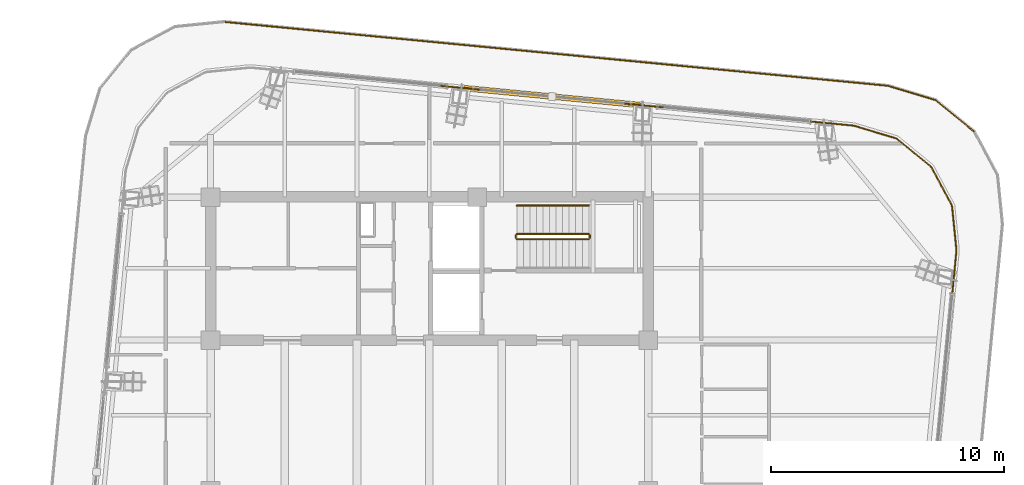
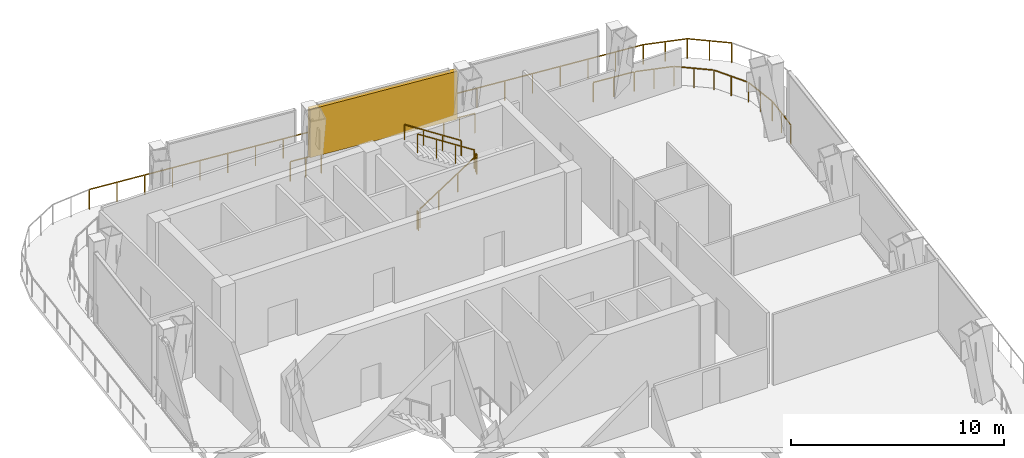
# One storey, part 18 of 19: 11 railings, 1 shading device.
"""IFC4 building model written with IfcOpenShell, lengths in metres."""

from ifc_helpers import new_model, si_unit, direction, frame, origin, origin_2d, place, context, subcontext, project, spatial, rectangle, extrude, material, type_object, element, save


model = new_model("IFC4")

# Units and contexts
model_context = context("Model", 3, precision=1e-05, world=origin(), true_north=direction((0.0, 1.0)))
body_context = subcontext(model_context, "Body", "Model", "MODEL_VIEW")
ifc_project = project(units=[si_unit("LENGTHUNIT", "METRE"), si_unit("AREAUNIT", "SQUARE_METRE"), si_unit("VOLUMEUNIT", "CUBIC_METRE"), si_unit("PLANEANGLEUNIT", "RADIAN"), si_unit("MASSUNIT", "GRAM", prefix="KILO")], contexts=[model_context])

# Site, building, storey
site_placement = place(None, origin())
site = spatial("IfcSite", under=ifc_project, at=site_placement, CompositionType="ELEMENT")
building_placement = place(site_placement, origin())
building = spatial("IfcBuilding", under=site, at=building_placement, Name="Qhalaya Broadcast Tower", CompositionType="ELEMENT")
storey_placement = place(building_placement, frame((0.0, 0.0, 280.550048828125)))
storey = spatial("IfcBuildingStorey", under=building, at=storey_placement, Name="L83", CompositionType="ELEMENT", Elevation=280.550048828125)

# Railings
ifc_material_1 = material(Name="Powder-Coated Galvanised Steel", Category="steel")
railing_type_1 = type_object("IfcRailingType", Name="Stair Wall Handrail 900", PredefinedType="HANDRAIL", material=ifc_material_1)
railing_1_placement = place(storey_placement, frame((6.830078125, 9.590087890625, 2.356201171875)))
element("IfcRailing", 1, at=railing_1_placement, inside=storey, type_object=railing_type_1, Name="L83 ST-1 Stair Handrail 2", PredefinedType="HANDRAIL", context=body_context, shape_type="SweptSolid", body=[
    extrude(rectangle(XDim=0.048095703125, YDim=0.048095703125, at=origin_2d()), frame((0.0, 0.0, 0.8759765625), z_axis=(-0.839488025565, 0.0, 0.543378187759), x_axis=(0.0, -1.0, 0.0)), (0.0, 0.0, 1.0), 3.6689453125),
    extrude(rectangle(XDim=0.0419921875, YDim=0.0419921875, at=origin_2d()), origin(), (0.0, 0.0, 1.0), 0.849853515625),
    extrude(rectangle(XDim=0.0419921875, YDim=0.0419921875, at=origin_2d()), frame((-1.026611328125, 0.0, 0.66455078125)), (0.0, 0.0, 1.0), 0.849853515625),
    extrude(rectangle(XDim=0.0419921875, YDim=0.0419921875, at=origin_2d()), frame((-2.053466796875, 0.0, 1.3291015625)), (0.0, 0.0, 1.0), 0.849853515625),
    extrude(rectangle(XDim=0.0419921875, YDim=0.0419921875, at=origin_2d()), frame((-3.080078125, 0.0, 1.99365234375)), (0.0, 0.0, 1.0), 0.849853515625),
])
railing_type_2 = type_object("IfcRailingType", Name="Stair Well & Landing Guardrail 1100", PredefinedType="GUARDRAIL", material=ifc_material_1)
railing_2_placement = place(storey_placement, frame((3.75, 8.14990234375, 0.18115234375)))
element("IfcRailing", 2, at=railing_2_placement, inside=storey, type_object=railing_type_2, Name="L83 ST-1 Stair Guard 1", PredefinedType="GUARDRAIL", context=body_context, shape_type="SweptSolid", body=[
    extrude(rectangle(XDim=0.048095703125, YDim=0.048095703125, at=origin_2d()), frame((0.0, 0.0, 1.076171875), z_axis=(0.8394576718, 0.0, 0.543425079708), x_axis=(0.0, 1.0, 0.0)), (0.0, 0.0, 1.0), 3.669189453125),
    extrude(rectangle(XDim=0.0419921875, YDim=0.0419921875, at=origin_2d()), origin(), (0.0, 0.0, 1.0), 1.050048828125),
    extrude(rectangle(XDim=0.0419921875, YDim=0.0419921875, at=origin_2d()), frame((1.026611328125, 0.0, 0.66455078125)), (0.0, 0.0, 1.0), 1.050048828125),
    extrude(rectangle(XDim=0.0419921875, YDim=0.0419921875, at=origin_2d()), frame((2.053466796875, 0.0, 1.329345703125)), (0.0, 0.0, 1.0), 1.050048828125),
    extrude(rectangle(XDim=0.0419921875, YDim=0.0419921875, at=origin_2d()), frame((3.080078125, 0.0, 1.993896484375)), (0.0, 0.0, 1.0), 1.050048828125),
])
railing_3_placement = place(storey_placement, frame((6.8798828125, 8.199951171875, 2.175048828125)))
element("IfcRailing", 3, at=railing_3_placement, inside=storey, type_object=railing_type_2, Name="L83 ST-1 Stair Guard 2", PredefinedType="GUARDRAIL", context=body_context, shape_type="SweptSolid", body=[
    extrude(rectangle(XDim=0.048095703125, YDim=0.048095703125, at=origin_2d()), frame((0.0, 0.0, 1.076171875), z_axis=(0.0, 1.0, 0.0), x_axis=(-1.0, 0.0, 0.0)), (0.0, 0.0, 1.0), 0.1201171875),
    extrude(rectangle(XDim=0.0419921875, YDim=0.0419921875, at=origin_2d()), origin(), (0.0, 0.0, 1.0), 1.050048828125),
    extrude(rectangle(XDim=0.0419921875, YDim=0.0419921875, at=origin_2d()), frame((0.0, 0.1201171875, 0.0)), (0.0, 0.0, 1.0), 1.050048828125),
])
railing_4_placement = place(storey_placement, frame((6.830078125, 8.3701171875, 2.356201171875)))
element("IfcRailing", 4, at=railing_4_placement, inside=storey, type_object=railing_type_2, Name="L83 ST-1 Stair Guard 3", PredefinedType="GUARDRAIL", context=body_context, shape_type="SweptSolid", body=[
    extrude(rectangle(XDim=0.048095703125, YDim=0.048095703125, at=origin_2d()), frame((0.0, 0.0, 1.076171875), z_axis=(-0.839488025565, 0.0, 0.543378187759), x_axis=(0.0, -1.0, 0.0)), (0.0, 0.0, 1.0), 3.6689453125),
    extrude(rectangle(XDim=0.0419921875, YDim=0.0419921875, at=origin_2d()), origin(), (0.0, 0.0, 1.0), 1.050048828125),
    extrude(rectangle(XDim=0.0419921875, YDim=0.0419921875, at=origin_2d()), frame((-1.026611328125, 0.0, 0.66455078125)), (0.0, 0.0, 1.0), 1.050048828125),
    extrude(rectangle(XDim=0.0419921875, YDim=0.0419921875, at=origin_2d()), frame((-2.053466796875, 0.0, 1.3291015625)), (0.0, 0.0, 1.0), 1.050048828125),
    extrude(rectangle(XDim=0.0419921875, YDim=0.0419921875, at=origin_2d()), frame((-3.080078125, 0.0, 1.99365234375)), (0.0, 0.0, 1.0), 1.050048828125),
])
railing_5_placement = place(storey_placement, frame((3.699951171875, 8.199951171875, 0.0)))
element("IfcRailing", 5, at=railing_5_placement, inside=storey, type_object=railing_type_2, Name="L83 ST-1 Stair Guard 4", PredefinedType="GUARDRAIL", context=body_context, shape_type="SweptSolid", body=[
    extrude(rectangle(XDim=0.048095703125, YDim=0.048095703125, at=origin_2d()), frame((0.0, 0.0, 1.076171875), z_axis=(0.0, 1.0, 0.0), x_axis=(-1.0, 0.0, 0.0)), (0.0, 0.0, 1.0), 0.1201171875),
    extrude(rectangle(XDim=0.0419921875, YDim=0.0419921875, at=origin_2d()), origin(), (0.0, 0.0, 1.0), 1.050048828125),
    extrude(rectangle(XDim=0.0419921875, YDim=0.0419921875, at=origin_2d()), frame((0.0, 0.1201171875, 0.0)), (0.0, 0.0, 1.0), 1.050048828125),
])
railing_type_3 = type_object("IfcRailingType", Name="Terrace, Sky-Pool & Lookout Glass Balustrade 1150", PredefinedType="BALUSTRADE", material=ifc_material_1)
railing_6_placement = place(storey_placement, frame((-8.796142578125, 17.458984375, 0.0)))
element("IfcRailing", 6, at=railing_6_placement, inside=storey, type_object=railing_type_3, Name="L83 Perimeter Safety Balustrade BAL-TER1-11", PredefinedType="BALUSTRADE", context=body_context, shape_type="SweptSolid", body=[
    extrude(rectangle(XDim=0.048095703125, YDim=0.048095703125, at=origin_2d()), frame((0.0, 0.0, 1.1259765625), z_axis=(0.995396783625, -0.095839674187, 0.0), x_axis=(0.095839674187, 0.995396783625, 0.0)), (0.0, 0.0, 1.0), 28.584228515625),
    extrude(rectangle(XDim=0.0419921875, YDim=0.0419921875, at=origin_2d()), origin(), (0.0, 0.0, 1.0), 1.099853515625),
    extrude(rectangle(XDim=0.0419921875, YDim=0.0419921875, at=origin_2d()), frame((1.422607421875, -0.136962890625, 0.0)), (0.0, 0.0, 1.0), 1.099853515625),
    extrude(rectangle(XDim=0.0419921875, YDim=0.0419921875, at=origin_2d()), frame((2.84521484375, -0.27392578125, 0.0)), (0.0, 0.0, 1.0), 1.099853515625),
    extrude(rectangle(XDim=0.0419921875, YDim=0.0419921875, at=origin_2d()), frame((4.267822265625, -0.410888671875, 0.0)), (0.0, 0.0, 1.0), 1.099853515625),
    extrude(rectangle(XDim=0.0419921875, YDim=0.0419921875, at=origin_2d()), frame((5.6904296875, -0.5478515625, 0.0)), (0.0, 0.0, 1.0), 1.099853515625),
    extrude(rectangle(XDim=0.0419921875, YDim=0.0419921875, at=origin_2d()), frame((7.11328125, -0.684814453125, 0.0)), (0.0, 0.0, 1.0), 1.099853515625),
    extrude(rectangle(XDim=0.0419921875, YDim=0.0419921875, at=origin_2d()), frame((8.535888671875, -0.82177734375, 0.0)), (0.0, 0.0, 1.0), 1.099853515625),
    extrude(rectangle(XDim=0.0419921875, YDim=0.0419921875, at=origin_2d()), frame((9.95849609375, -0.958740234375, 0.0)), (0.0, 0.0, 1.0), 1.099853515625),
    extrude(rectangle(XDim=0.0419921875, YDim=0.0419921875, at=origin_2d()), frame((11.381103515625, -1.095703125, 0.0)), (0.0, 0.0, 1.0), 1.099853515625),
    extrude(rectangle(XDim=0.0419921875, YDim=0.0419921875, at=origin_2d()), frame((12.8037109375, -1.232666015625, 0.0)), (0.0, 0.0, 1.0), 1.099853515625),
    extrude(rectangle(XDim=0.0419921875, YDim=0.0419921875, at=origin_2d()), frame((14.226318359375, -1.36962890625, 0.0)), (0.0, 0.0, 1.0), 1.099853515625),
    extrude(rectangle(XDim=0.0419921875, YDim=0.0419921875, at=origin_2d()), frame((15.64892578125, -1.5068359375, 0.0)), (0.0, 0.0, 1.0), 1.099853515625),
    extrude(rectangle(XDim=0.0419921875, YDim=0.0419921875, at=origin_2d()), frame((17.071533203125, -1.643798828125, 0.0)), (0.0, 0.0, 1.0), 1.099853515625),
    extrude(rectangle(XDim=0.0419921875, YDim=0.0419921875, at=origin_2d()), frame((18.494140625, -1.78076171875, 0.0)), (0.0, 0.0, 1.0), 1.099853515625),
    extrude(rectangle(XDim=0.0419921875, YDim=0.0419921875, at=origin_2d()), frame((19.916748046875, -1.917724609375, 0.0)), (0.0, 0.0, 1.0), 1.099853515625),
    extrude(rectangle(XDim=0.0419921875, YDim=0.0419921875, at=origin_2d()), frame((21.33935546875, -2.0546875, 0.0)), (0.0, 0.0, 1.0), 1.099853515625),
    extrude(rectangle(XDim=0.0419921875, YDim=0.0419921875, at=origin_2d()), frame((22.76220703125, -2.191650390625, 0.0)), (0.0, 0.0, 1.0), 1.099853515625),
    extrude(rectangle(XDim=0.0419921875, YDim=0.0419921875, at=origin_2d()), frame((24.184814453125, -2.32861328125, 0.0)), (0.0, 0.0, 1.0), 1.099853515625),
    extrude(rectangle(XDim=0.0419921875, YDim=0.0419921875, at=origin_2d()), frame((25.607421875, -2.465576171875, 0.0)), (0.0, 0.0, 1.0), 1.099853515625),
    extrude(rectangle(XDim=0.0419921875, YDim=0.0419921875, at=origin_2d()), frame((27.030029296875, -2.6025390625, 0.0)), (0.0, 0.0, 1.0), 1.099853515625),
    extrude(rectangle(XDim=0.0419921875, YDim=0.0419921875, at=origin_2d()), frame((28.45263671875, -2.739501953125, 0.0)), (0.0, 0.0, 1.0), 1.099853515625),
])
railing_7_placement = place(storey_placement, frame((19.656494140625, 14.719482421875, 0.0)))
element("IfcRailing", 7, at=railing_7_placement, inside=storey, type_object=railing_type_3, Name="L83 Perimeter Safety Balustrade BAL-TER1-12", PredefinedType="BALUSTRADE", context=body_context, shape_type="SweptSolid", body=[
    extrude(rectangle(XDim=0.048095703125, YDim=0.048095703125, at=origin_2d()), frame((0.0, 0.0, 1.1259765625), z_axis=(0.957578968467, -0.288170989429, 0.0), x_axis=(0.288170989429, 0.957578968467, 0.0)), (0.0, 0.0, 1.0), 2.122314453125),
    extrude(rectangle(XDim=0.0419921875, YDim=0.0419921875, at=origin_2d()), origin(), (0.0, 0.0, 1.0), 1.099853515625),
    extrude(rectangle(XDim=0.0419921875, YDim=0.0419921875, at=origin_2d()), frame((1.01611328125, -0.3056640625, 0.0)), (0.0, 0.0, 1.0), 1.099853515625),
    extrude(rectangle(XDim=0.0419921875, YDim=0.0419921875, at=origin_2d()), frame((2.0322265625, -0.611572265625, 0.0)), (0.0, 0.0, 1.0), 1.099853515625),
])
railing_8_placement = place(storey_placement, frame((21.688720703125, 14.10791015625, 0.0)))
element("IfcRailing", 8, at=railing_8_placement, inside=storey, type_object=railing_type_3, Name="L83 Perimeter Safety Balustrade BAL-TER1-13", PredefinedType="BALUSTRADE", context=body_context, shape_type="SweptSolid", body=[
    extrude(rectangle(XDim=0.048095703125, YDim=0.048095703125, at=origin_2d()), frame((0.0, 0.0, 1.1259765625), z_axis=(0.774291625152, -0.632828949416, 0.0), x_axis=(0.632828949416, 0.774291625152, 0.0)), (0.0, 0.0, 1.0), 2.1142578125),
    extrude(rectangle(XDim=0.0419921875, YDim=0.0419921875, at=origin_2d()), origin(), (0.0, 0.0, 1.0), 1.099853515625),
    extrude(rectangle(XDim=0.0419921875, YDim=0.0419921875, at=origin_2d()), frame((0.818359375, -0.6689453125, 0.0)), (0.0, 0.0, 1.0), 1.099853515625),
    extrude(rectangle(XDim=0.0419921875, YDim=0.0419921875, at=origin_2d()), frame((1.636962890625, -1.337890625, 0.0)), (0.0, 0.0, 1.0), 1.099853515625),
])
railing_9_placement = place(storey_placement, frame((0.5078125, 14.714599609375, 0.0)))
element("IfcRailing", 9, at=railing_9_placement, inside=storey, type_object=railing_type_3, Name="L83 Rounded Corner Perimeter Guard 06", PredefinedType="BALUSTRADE", context=body_context, shape_type="SweptSolid", body=[
    extrude(rectangle(XDim=0.048095703125, YDim=0.048095703125, at=origin_2d()), frame((0.0, 0.0, 1.1259765625), z_axis=(0.995402062403, -0.095784832643, 0.0), x_axis=(0.095784832643, 0.995402062403, 0.0)), (0.0, 0.0, 1.0), 1.605712890625),
    extrude(rectangle(XDim=0.0419921875, YDim=0.0419921875, at=origin_2d()), origin(), (0.0, 0.0, 1.0), 1.099853515625),
    extrude(rectangle(XDim=0.0419921875, YDim=0.0419921875, at=origin_2d()), frame((0.79931640625, -0.076904296875, 0.0)), (0.0, 0.0, 1.0), 1.099853515625),
    extrude(rectangle(XDim=0.0419921875, YDim=0.0419921875, at=origin_2d()), frame((1.598388671875, -0.15380859375, 0.0)), (0.0, 0.0, 1.0), 1.099853515625),
])
railing_10_placement = place(storey_placement, frame((8.401123046875, 13.95458984375, 0.0)))
element("IfcRailing", 10, at=railing_10_placement, inside=storey, type_object=railing_type_3, Name="L83 Rounded Corner Perimeter Guard 07", PredefinedType="BALUSTRADE", context=body_context, shape_type="SweptSolid", body=[
    extrude(rectangle(XDim=0.048095703125, YDim=0.048095703125, at=origin_2d()), frame((0.0, 0.0, 1.1259765625), z_axis=(0.995403457007, -0.095770338716, 0.0), x_axis=(0.095770338716, 0.995403457007, 0.0)), (0.0, 0.0, 1.0), 1.60595703125),
    extrude(rectangle(XDim=0.0419921875, YDim=0.0419921875, at=origin_2d()), origin(), (0.0, 0.0, 1.0), 1.099853515625),
    extrude(rectangle(XDim=0.0419921875, YDim=0.0419921875, at=origin_2d()), frame((0.79931640625, -0.076904296875, 0.0)), (0.0, 0.0, 1.0), 1.099853515625),
    extrude(rectangle(XDim=0.0419921875, YDim=0.0419921875, at=origin_2d()), frame((1.5986328125, -0.15380859375, 0.0)), (0.0, 0.0, 1.0), 1.099853515625),
])
railing_11_placement = place(storey_placement, frame((16.07373046875, 13.2158203125, 0.0)))
element("IfcRailing", 11, at=railing_11_placement, inside=storey, type_object=railing_type_3, Name="L83 Rounded Corner Perimeter Guard 08", PredefinedType="BALUSTRADE", context=body_context, shape_type="SweptSolid", body=[
    extrude(rectangle(XDim=0.048095703125, YDim=0.048095703125, at=origin_2d()), frame((0.0, 0.0, 1.1259765625), z_axis=(0.995391273094, -0.095896889673, 0.0), x_axis=(0.095896889673, 0.995391273094, 0.0)), (0.0, 0.0, 1.0), 2.08935546875),
    extrude(rectangle(XDim=0.048095703125, YDim=0.048095703125, at=origin_2d()), frame((2.135986328125, -0.21142578125, 1.1259765625), z_axis=(0.957601447485, -0.288096282124, 0.0), x_axis=(0.288096282124, 0.957601447485, 0.0)), (0.0, 0.0, 1.0), 1.857421875),
    extrude(rectangle(XDim=0.048095703125, YDim=0.048095703125, at=origin_2d()), frame((3.96484375, -0.773193359375, 1.1259765625), z_axis=(0.774357190213, -0.63274871945, 0.0), x_axis=(0.63274871945, 0.774357190213, 0.0)), (0.0, 0.0, 1.0), 1.845703125),
    extrude(rectangle(XDim=0.048095703125, YDim=0.048095703125, at=origin_2d()), frame((5.429931640625, -1.984619140625, 1.1259765625), z_axis=(0.473242797018, -0.880932037714, 0.0), x_axis=(0.880932037714, 0.473242797018, 0.0)), (0.0, 0.0, 1.0), 1.845458984375),
    extrude(rectangle(XDim=0.048095703125, YDim=0.048095703125, at=origin_2d()), frame((6.31982421875, -3.66455078125, 1.1259765625), z_axis=(0.100197883148, -0.994967529225, 0.0), x_axis=(0.994967529225, 0.100197883148, 0.0)), (0.0, 0.0, 1.0), 1.857421875),
    extrude(rectangle(XDim=0.048095703125, YDim=0.048095703125, at=origin_2d()), frame((6.506103515625, -5.570068359375, 1.1259765625), z_axis=(-0.095896889673, -0.995391273094, 0.0), x_axis=(0.995391273094, -0.095896889673, 0.0)), (0.0, 0.0, 1.0), 2.08935546875),
    extrude(rectangle(XDim=0.0419921875, YDim=0.0419921875, at=origin_2d()), origin(), (0.0, 0.0, 1.0), 1.099853515625),
    extrude(rectangle(XDim=0.0419921875, YDim=0.0419921875, at=origin_2d()), frame((1.05419921875, -0.1015625, 0.0)), (0.0, 0.0, 1.0), 1.099853515625),
    extrude(rectangle(XDim=0.0419921875, YDim=0.0419921875, at=origin_2d()), frame((2.1083984375, -0.203125, 0.0)), (0.0, 0.0, 1.0), 1.099853515625),
    extrude(rectangle(XDim=0.0419921875, YDim=0.0419921875, at=origin_2d()), frame((3.025390625, -0.47900390625, 0.0)), (0.0, 0.0, 1.0), 1.099853515625),
    extrude(rectangle(XDim=0.0419921875, YDim=0.0419921875, at=origin_2d()), frame((3.9423828125, -0.7548828125, 0.0)), (0.0, 0.0, 1.0), 1.099853515625),
    extrude(rectangle(XDim=0.0419921875, YDim=0.0419921875, at=origin_2d()), frame((4.67919921875, -1.35693359375, 0.0)), (0.0, 0.0, 1.0), 1.099853515625),
    extrude(rectangle(XDim=0.0419921875, YDim=0.0419921875, at=origin_2d()), frame((5.416259765625, -1.959228515625, 0.0)), (0.0, 0.0, 1.0), 1.099853515625),
    extrude(rectangle(XDim=0.0419921875, YDim=0.0419921875, at=origin_2d()), frame((5.86669921875, -2.79736328125, 0.0)), (0.0, 0.0, 1.0), 1.099853515625),
    extrude(rectangle(XDim=0.0419921875, YDim=0.0419921875, at=origin_2d()), frame((6.31689453125, -3.6357421875, 0.0)), (0.0, 0.0, 1.0), 1.099853515625),
    extrude(rectangle(XDim=0.0419921875, YDim=0.0419921875, at=origin_2d()), frame((6.412841796875, -4.58837890625, 0.0)), (0.0, 0.0, 1.0), 1.099853515625),
    extrude(rectangle(XDim=0.0419921875, YDim=0.0419921875, at=origin_2d()), frame((6.5087890625, -5.541259765625, 0.0)), (0.0, 0.0, 1.0), 1.099853515625),
    extrude(rectangle(XDim=0.0419921875, YDim=0.0419921875, at=origin_2d()), frame((6.4072265625, -6.595458984375, 0.0)), (0.0, 0.0, 1.0), 1.099853515625),
    extrude(rectangle(XDim=0.0419921875, YDim=0.0419921875, at=origin_2d()), frame((6.3056640625, -7.649658203125, 0.0)), (0.0, 0.0, 1.0), 1.099853515625),
])

# Shading device
ifc_material_2 = material(Name="Fired Architectural Terracotta", Category="masonry")
shading_device_type = type_object("IfcShadingDeviceType", Name="Terracotta Baguette Solar Screen Assembly TBS-01", PredefinedType="USERDEFINED", material=ifc_material_2)
shading_device_placement = place(storey_placement, frame((5.25390625, 14.2578125, 1.139404296875), z_axis=(0.0, 0.0, 1.0), x_axis=(-0.995396198367, 0.09584575252, 0.0)))
element("IfcShadingDevice", 12, at=shading_device_placement, inside=storey, type_object=shading_device_type, Name="L83 Fired Terracotta Baguette Screen N", ObjectType="BAGUETTE", PredefinedType="USERDEFINED", context=body_context, shape_type="SweptSolid", body=[
    extrude(rectangle(XDim=7.60009765625, YDim=0.239990234375, at=origin_2d()), origin(), (0.0, 0.0, 1.0), 2.76806640625),
])

save(model, "model.ifc")
